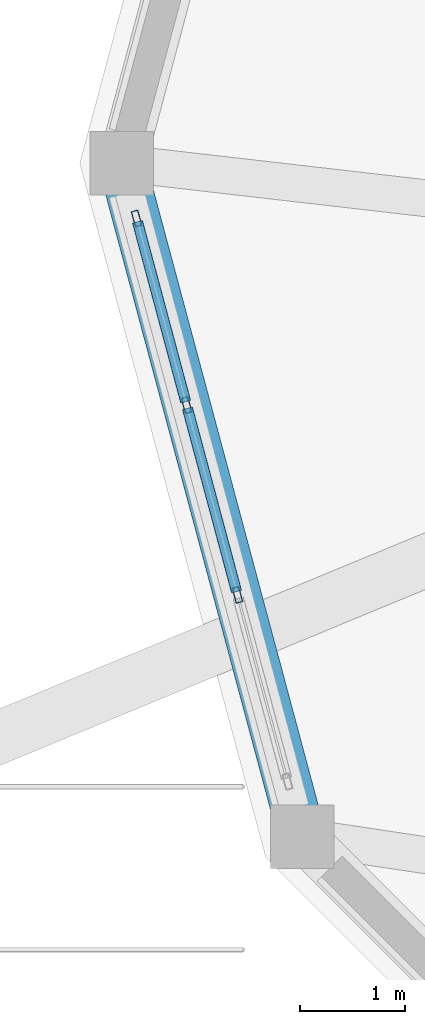
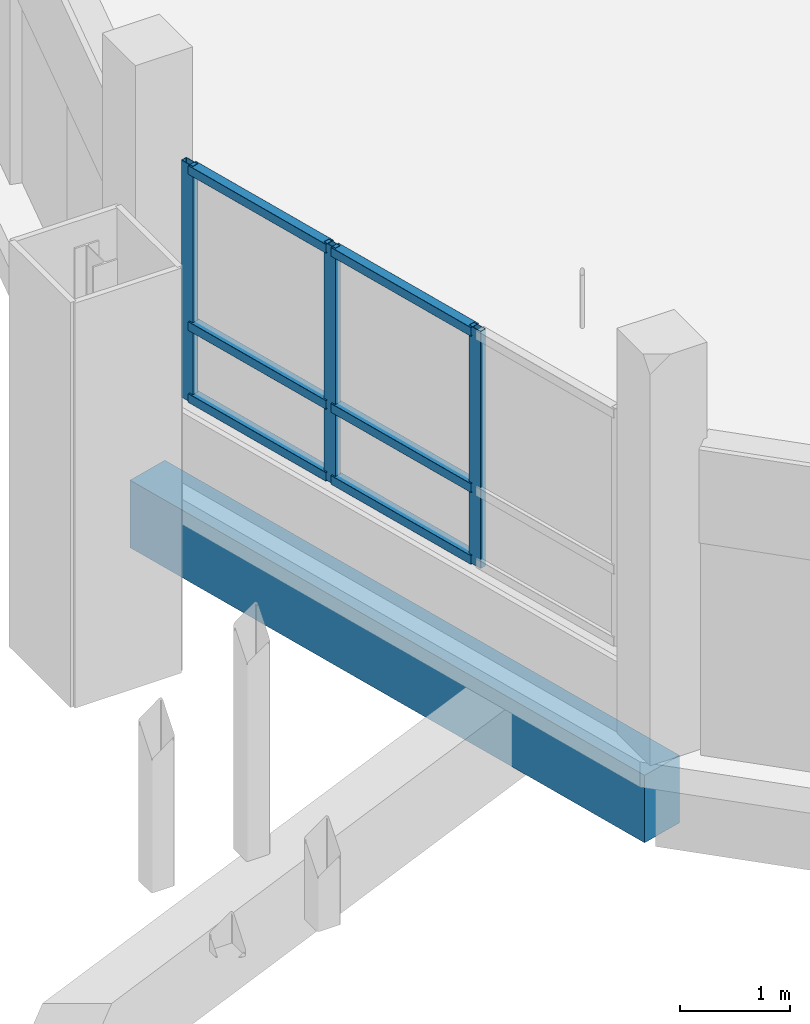
# One storey, part 37 of 129: 9 members, 1 beam, 1 element without a shape of its own.
"""IFC4 building model written with IfcOpenShell, lengths in metres."""

from ifc_helpers import new_model, si_unit, direction, frame, origin, origin_2d, place, context, subcontext, project, spatial, rectangle, hollow_rectangle, extrude, material, layer, layer_set, material_profile, profile_set, type_object, element, aggregate, save


model = new_model("IFC4")

# Units and contexts
model_context = context("Model", 3, precision=1e-05, world=origin(), true_north=direction((0.0, 1.0)))
body_context = subcontext(model_context, "Body", "Model", "MODEL_VIEW")
ifc_project = project(units=[si_unit("LENGTHUNIT", "METRE"), si_unit("AREAUNIT", "SQUARE_METRE"), si_unit("VOLUMEUNIT", "CUBIC_METRE"), si_unit("PLANEANGLEUNIT", "RADIAN"), si_unit("MASSUNIT", "GRAM", prefix="KILO")], contexts=[model_context])

# Site, building, storey
site_placement = place(None, origin())
site = spatial("IfcSite", under=ifc_project, at=site_placement, CompositionType="ELEMENT")
building_placement = place(site_placement, origin())
building = spatial("IfcBuilding", under=site, at=building_placement, Name="Vespera Passage Community Centre", CompositionType="ELEMENT")
storey_placement = place(building_placement, origin())
storey = spatial("IfcBuildingStorey", under=building, at=storey_placement, Name="L00", CompositionType="ELEMENT", Elevation=0.0)

# Beam
ifc_material_1 = material(Name="Concrete f'c 35 MPa", Category="concrete")
ifc_material_profile_1 = material_profile(ifc_material_1, rectangle(XDim=0.449951171875, YDim=0.75, at=origin_2d()), Name="RC450X750")
ifc_profile_set_1 = profile_set([ifc_material_profile_1], Name="Concrete f'c 35 MPa")
beam_type = type_object("IfcBeamType", Name="BM-SP-450X750E", PredefinedType="SPANDREL", material=ifc_profile_set_1)
beam_placement = place(storey_placement, frame((108.199951171875, 33.5, -0.655029296875), z_axis=(0.258818353032, -0.965926011729, 0.0), x_axis=(0.965926011729, 0.258818353032, 0.0)))
element("IfcBeam", 1, at=beam_placement, inside=storey, type_object=beam_type, Name="V3A L00 Cafe Spandrel 5", PredefinedType="SPANDREL", context=body_context, shape_type="SweptSolid", body=[
    extrude(rectangle(XDim=0.449951171875, YDim=0.75, at=origin_2d()), origin(), (0.0, 0.0, 1.0), 6.625732421875),
])

# Curtain wall, members
ifc_material_2 = material(Name="Anodized aluminium 6063-T6", Category="aluminium")
ifc_layer = layer(ifc_material_2, 0.159912109375)
ifc_layer_set = layer_set([ifc_layer], Name="Anodized aluminium 6063-T6")
curtain_wall_type = type_object("IfcCurtainWallType", Name="CW-112E", PredefinedType="NOTDEFINED", material=ifc_layer_set)
curtain_wall_placement = place(storey_placement, origin())
curtain_wall = element("IfcCurtainWall", 2, at=curtain_wall_placement, inside=storey, type_object=curtain_wall_type, Name="Passage Espresso Cafe Ribbon Curtain Wall 7", PredefinedType="NOTDEFINED")
ifc_material_3 = material(Name="Anodized aluminium 6063-T6", Category="aluminium")
ifc_material_profile_2 = material_profile(ifc_material_3, hollow_rectangle(XDim=0.06494140625, YDim=0.14990234375, WallThickness=0.00390625, InnerFilletRadius=0.001953125, OuterFilletRadius=0.00390625, at=origin_2d()), Name="ALU150X65X4")
ifc_profile_set_2 = profile_set([ifc_material_profile_2], Name="Anodized aluminium 6063-T6")
member_type_1 = type_object("IfcMemberType", Name="MB-CWM-150E", PredefinedType="MULLION", material=ifc_profile_set_2)
member_1_placement = place(storey_placement, frame((109.29931640625, 29.397705078125, 0.780029296875), z_axis=(0.0, 0.0, 1.0), x_axis=(-0.965928937444, -0.258807433834, 0.0)))
member_1 = element("IfcMember", 3, at=member_1_placement, type_object=member_type_1, Name="CW-112E mullion 2", PredefinedType="MULLION", context=body_context, shape_type="SweptSolid", body=[
    extrude(hollow_rectangle(XDim=0.06494140625, YDim=0.14990234375, WallThickness=0.00390625, InnerFilletRadius=0.001953125, OuterFilletRadius=0.00390625, at=origin_2d()), origin(), (0.0, 0.0, 1.0), 2.635009765625),
])
member_2_placement = place(storey_placement, frame((108.815673828125, 31.2021484375, 0.780029296875), z_axis=(0.0, 0.0, 1.0), x_axis=(-0.965928937444, -0.258807433834, 0.0)))
member_2 = element("IfcMember", 4, at=member_2_placement, type_object=member_type_1, Name="CW-112E mullion 3", PredefinedType="MULLION", context=body_context, shape_type="SweptSolid", body=[
    extrude(hollow_rectangle(XDim=0.06494140625, YDim=0.14990234375, WallThickness=0.00390625, InnerFilletRadius=0.001953125, OuterFilletRadius=0.00390625, at=origin_2d()), origin(), (0.0, 0.0, 1.0), 2.635009765625),
])
member_3_placement = place(storey_placement, frame((108.340576171875, 32.975341796875, 0.780029296875), z_axis=(0.0, 0.0, 1.0), x_axis=(-0.965928937444, -0.258807433834, 0.0)))
member_3 = element("IfcMember", 5, at=member_3_placement, type_object=member_type_1, Name="CW-112E mullion 4", PredefinedType="MULLION", context=body_context, shape_type="SweptSolid", body=[
    extrude(hollow_rectangle(XDim=0.06494140625, YDim=0.14990234375, WallThickness=0.00390625, InnerFilletRadius=0.001953125, OuterFilletRadius=0.00390625, at=origin_2d()), origin(), (0.0, 0.0, 1.0), 2.635009765625),
])
ifc_material_4 = material(Name="Anodized aluminium 6063-T6", Category="aluminium")
ifc_material_profile_3 = material_profile(ifc_material_4, hollow_rectangle(XDim=0.10009765625, YDim=0.10009765625, WallThickness=0.00390625, InnerFilletRadius=0.001953125, OuterFilletRadius=0.00390625, at=origin_2d()), Name="ALU100X100X4")
ifc_profile_set_3 = profile_set([ifc_material_profile_3], Name="Anodized aluminium 6063-T6")
member_type_2 = type_object("IfcMemberType", Name="MB-CWT-100E", PredefinedType="USERDEFINED", material=ifc_profile_set_3)
member_4_placement = place(storey_placement, frame((109.290771484375, 29.42919921875, 0.830078125), z_axis=(-0.258749621182, 0.965944425699, 0.0), x_axis=(-0.965944425699, -0.258749621182, 0.0)))
member_4 = element("IfcMember", 6, at=member_4_placement, type_object=member_type_2, Name="CW-112E transom 2.1", ObjectType="TRANSOM", PredefinedType="USERDEFINED", context=body_context, shape_type="SweptSolid", body=[
    extrude(hollow_rectangle(XDim=0.10009765625, YDim=0.10009765625, WallThickness=0.00390625, InnerFilletRadius=0.001953125, OuterFilletRadius=0.00390625, at=origin_2d()), origin(), (0.0, 0.0, 1.0), 1.80322265625),
])
member_5_placement = place(storey_placement, frame((109.290771484375, 29.42919921875, 1.6298828125), z_axis=(-0.258749621182, 0.965944425699, 0.0), x_axis=(-0.965944425699, -0.258749621182, 0.0)))
member_5 = element("IfcMember", 7, at=member_5_placement, type_object=member_type_2, Name="CW-112E transom 2.2", ObjectType="TRANSOM", PredefinedType="USERDEFINED", context=body_context, shape_type="SweptSolid", body=[
    extrude(hollow_rectangle(XDim=0.10009765625, YDim=0.10009765625, WallThickness=0.00390625, InnerFilletRadius=0.001953125, OuterFilletRadius=0.00390625, at=origin_2d()), origin(), (0.0, 0.0, 1.0), 1.80322265625),
])
member_6_placement = place(storey_placement, frame((109.290771484375, 29.42919921875, 3.364990234375), z_axis=(-0.258749621182, 0.965944425699, 0.0), x_axis=(-0.965944425699, -0.258749621182, 0.0)))
member_6 = element("IfcMember", 8, at=member_6_placement, type_object=member_type_2, Name="CW-112E transom 2.3", ObjectType="TRANSOM", PredefinedType="USERDEFINED", context=body_context, shape_type="SweptSolid", body=[
    extrude(hollow_rectangle(XDim=0.10009765625, YDim=0.10009765625, WallThickness=0.00390625, InnerFilletRadius=0.001953125, OuterFilletRadius=0.00390625, at=origin_2d()), origin(), (0.0, 0.0, 1.0), 1.80322265625),
])
member_7_placement = place(storey_placement, frame((108.807373046875, 31.233642578125, 0.830078125), z_axis=(-0.258786623067, 0.965934513164, 0.0), x_axis=(-0.965934513164, -0.258786623067, 0.0)))
member_7 = element("IfcMember", 9, at=member_7_placement, type_object=member_type_2, Name="CW-112E transom 3.1", ObjectType="TRANSOM", PredefinedType="USERDEFINED", context=body_context, shape_type="SweptSolid", body=[
    extrude(hollow_rectangle(XDim=0.10009765625, YDim=0.10009765625, WallThickness=0.00390625, InnerFilletRadius=0.001953125, OuterFilletRadius=0.00390625, at=origin_2d()), origin(), (0.0, 0.0, 1.0), 1.770751953125),
])
member_8_placement = place(storey_placement, frame((108.807373046875, 31.233642578125, 1.6298828125), z_axis=(-0.258786623067, 0.965934513164, 0.0), x_axis=(-0.965934513164, -0.258786623067, 0.0)))
member_8 = element("IfcMember", 10, at=member_8_placement, type_object=member_type_2, Name="CW-112E transom 3.2", ObjectType="TRANSOM", PredefinedType="USERDEFINED", context=body_context, shape_type="SweptSolid", body=[
    extrude(hollow_rectangle(XDim=0.10009765625, YDim=0.10009765625, WallThickness=0.00390625, InnerFilletRadius=0.001953125, OuterFilletRadius=0.00390625, at=origin_2d()), origin(), (0.0, 0.0, 1.0), 1.770751953125),
])
member_9_placement = place(storey_placement, frame((108.807373046875, 31.233642578125, 3.364990234375), z_axis=(-0.258786623067, 0.965934513164, 0.0), x_axis=(-0.965934513164, -0.258786623067, 0.0)))
member_9 = element("IfcMember", 11, at=member_9_placement, type_object=member_type_2, Name="CW-112E transom 3.3", ObjectType="TRANSOM", PredefinedType="USERDEFINED", context=body_context, shape_type="SweptSolid", body=[
    extrude(hollow_rectangle(XDim=0.10009765625, YDim=0.10009765625, WallThickness=0.00390625, InnerFilletRadius=0.001953125, OuterFilletRadius=0.00390625, at=origin_2d()), origin(), (0.0, 0.0, 1.0), 1.770751953125),
])
aggregate(curtain_wall, [member_1, member_2, member_3, member_4, member_5, member_6, member_7, member_8, member_9])

save(model, "model.ifc")
